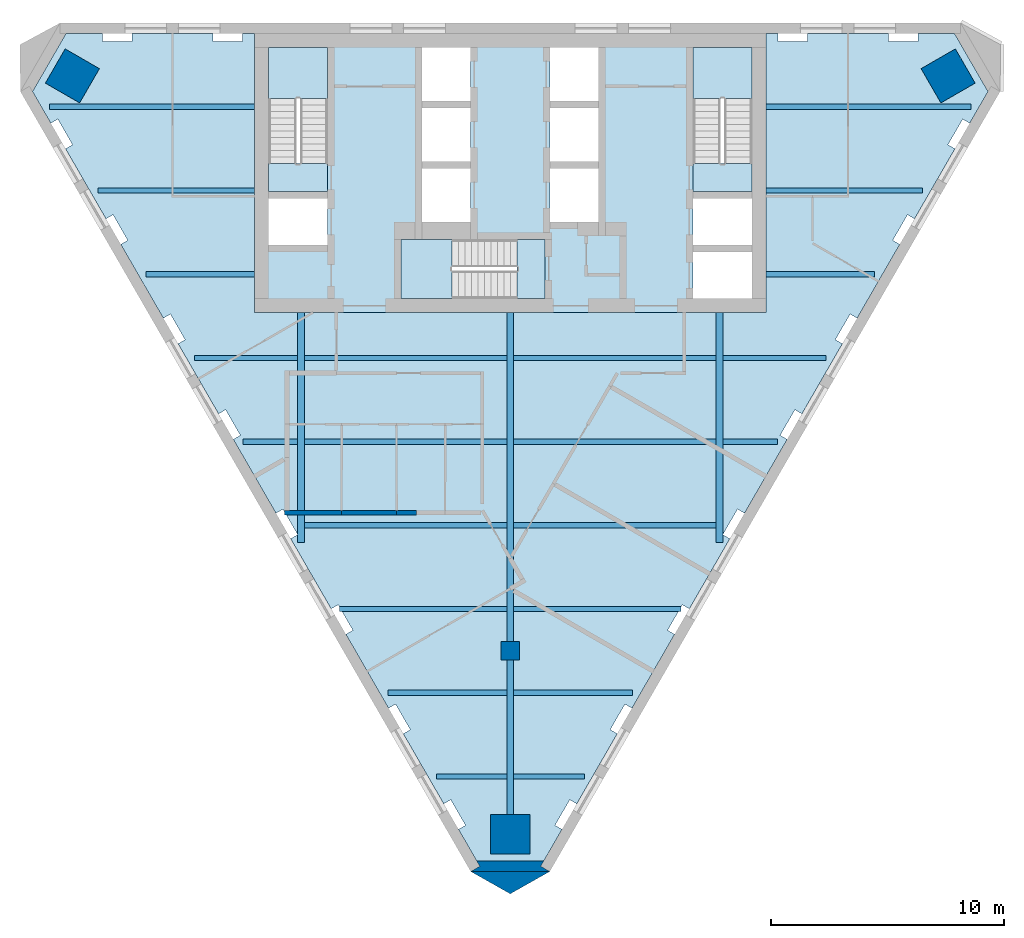
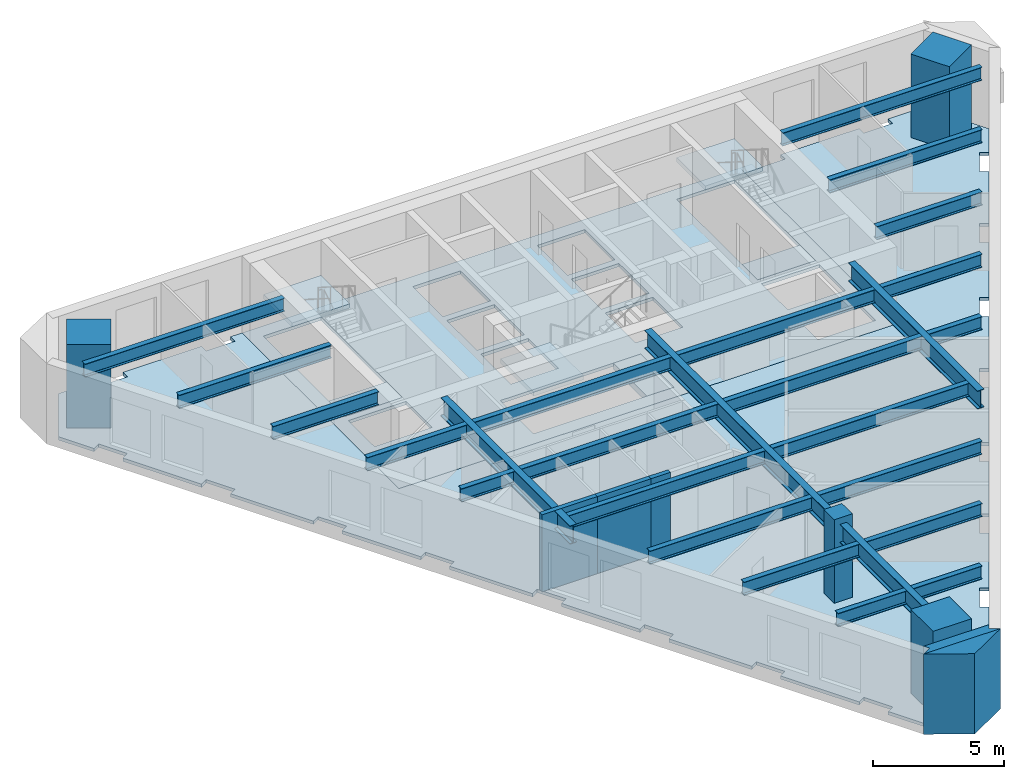
# One storey, part 1 of 6: 26 beams, 8 slabs, 5 walls, 4 columns, 3 elements without a shape of their own.
"""IFC4 building model written with IfcOpenShell, lengths in metres."""

from ifc_helpers import new_model, si_unit, direction, frame, frame_2d, origin, origin_2d, place, context, subcontext, project, spatial, polyline, rectangle, i_section, outline, extrude, material, layer, layer_set, material_profile, profile_set, type_object, element, aggregate, save


model = new_model("IFC4")

# Units and contexts
model_context = context("Model", 3, precision=1e-05, world=origin(), true_north=direction((0.0, 1.0)))
body_context = subcontext(model_context, "Body", "Model", "MODEL_VIEW")
ifc_project = project(units=[si_unit("LENGTHUNIT", "METRE"), si_unit("AREAUNIT", "SQUARE_METRE"), si_unit("VOLUMEUNIT", "CUBIC_METRE"), si_unit("PLANEANGLEUNIT", "RADIAN"), si_unit("MASSUNIT", "GRAM", prefix="KILO")], contexts=[model_context])

# Site, building, storey
site_placement = place(None, origin())
site = spatial("IfcSite", under=ifc_project, at=site_placement, CompositionType="ELEMENT")
building_placement = place(site_placement, origin())
building = spatial("IfcBuilding", under=site, at=building_placement, Name="Aloe Facet Convention Tower", CompositionType="ELEMENT")
storey_placement = place(building_placement, frame((0.0, 0.0, 223.10009765625)))
storey = spatial("IfcBuildingStorey", under=building, at=storey_placement, Name="L56", CompositionType="ELEMENT", Elevation=223.10009765625)

# Columns
ifc_material_1 = material(Name="Concrete C70/85", Category="concrete")
ifc_material_profile_1 = material_profile(ifc_material_1, rectangle(XDim=0.800048828125, YDim=0.800048828125, at=origin_2d()), Name="SF-GC-Z4")
ifc_profile_set_1 = profile_set([ifc_material_profile_1], Name="Concrete C70/85")
column_type_1 = type_object("IfcColumnType", Name="SF-GC-Z4", PredefinedType="COLUMN", material=ifc_profile_set_1)
column_placement = place(storey_placement, frame((80.0, 108.0, 0.0), z_axis=(0.0, 0.0, 1.0), x_axis=(1.0, 0.0, 0.0)))
element("IfcColumn", 1, at=column_placement, inside=storey, type_object=column_type_1, Name="Gravity column GC-Z4-9D", PredefinedType="COLUMN", context=body_context, shape_type="SweptSolid", body=[
    extrude(rectangle(XDim=0.800048828125, YDim=0.800048828125, at=origin_2d()), origin(), (0.0, 0.0, 1.0), 3.89990234375),
])
ifc_material_2 = material(Name="Concrete C80/95", Category="concrete")
ifc_material_profile_2 = material_profile(ifc_material_2, rectangle(XDim=1.699951171875, YDim=1.699951171875, at=origin_2d()), Name="STW-MC-Z4")
ifc_profile_set_2 = profile_set([ifc_material_profile_2], Name="Concrete C80/95")
column_type_2 = type_object("IfcColumnType", Name="STW-MC-Z4", PredefinedType="COLUMN", material=ifc_profile_set_2)
for number, where, z_axis, x_axis, name in (
    (2, (98.828857421875, 132.727783203125, 0.0), (0.0, 0.0, 1.0), (-0.5, 0.866025403784, 0.0), "Mega-column MC-NE-L56"),
    (3, (61.171142578125, 132.727783203125, 0.0), (0.0, 0.0, 1.0), (-0.5, -0.866025403784, 0.0), "Mega-column MC-NW-L56"),
    (4, (80.0, 100.114990234375, 0.0), (0.0, 0.0, 1.0), (1.0, 0.0, 0.0), "Mega-column MC-S-L56"),
):
    element("IfcColumn", number, at=place(storey_placement, frame(where, z_axis=z_axis, x_axis=x_axis)), inside=storey, type_object=column_type_2, Name=name, PredefinedType="COLUMN", context=body_context, shape_type="SweptSolid", body=[
        extrude(rectangle(XDim=1.699951171875, YDim=1.699951171875, at=origin_2d()), origin(), (0.0, 0.0, 1.0), 3.89990234375),
    ])

# Beams
ifc_material_3 = material(Name="Steel S355", Category="steel")
ifc_material_profile_3 = material_profile(ifc_material_3, i_section(OverallWidth=0.22900390625, OverallDepth=0.6123046875, WebThickness=0.011962890625, FlangeThickness=0.01953125, FilletRadius=0.0126953125, at=origin_2d()), Name="UB 610x229x125")
ifc_profile_set_3 = profile_set([ifc_material_profile_3], Name="Steel S355")
beam_type_1 = type_object("IfcBeamType", Name="SF-B-UB610x229x125", PredefinedType="BEAM", material=ifc_profile_set_3)
beam_1_placement = place(storey_placement, frame((60.18994140625, 131.39990234375, 3.293701171875), z_axis=(1.0, 0.0, 0.0), x_axis=(0.0, 1.0, 0.0)))
element("IfcBeam", 5, at=beam_1_placement, inside=storey, type_object=beam_type_1, Name="Floor beam FB-Z4I-005", PredefinedType="BEAM", context=body_context, shape_type="SweptSolid", body=[
    extrude(i_section(OverallWidth=0.22900390625, OverallDepth=0.6123046875, WebThickness=0.011962890625, FlangeThickness=0.01953125, FilletRadius=0.0126953125, at=origin_2d()), origin(), (0.0, 0.0, 1.0), 8.81005859375),
])
beam_2_placement = place(storey_placement, frame((62.268310546875, 127.800048828125, 3.293701171875), z_axis=(1.0, 0.0, 0.0), x_axis=(0.0, 1.0, 0.0)))
element("IfcBeam", 6, at=beam_2_placement, inside=storey, type_object=beam_type_1, Name="Floor beam FB-Z4I-006", PredefinedType="BEAM", context=body_context, shape_type="SweptSolid", body=[
    extrude(i_section(OverallWidth=0.22900390625, OverallDepth=0.6123046875, WebThickness=0.011962890625, FlangeThickness=0.01953125, FilletRadius=0.0126953125, at=origin_2d()), origin(), (0.0, 0.0, 1.0), 6.731689453125),
])
beam_3_placement = place(storey_placement, frame((64.3466796875, 124.199951171875, 3.293701171875), z_axis=(1.0, 0.0, 0.0), x_axis=(0.0, 1.0, 0.0)))
element("IfcBeam", 7, at=beam_3_placement, inside=storey, type_object=beam_type_1, Name="Floor beam FB-Z4I-007", PredefinedType="BEAM", context=body_context, shape_type="SweptSolid", body=[
    extrude(i_section(OverallWidth=0.22900390625, OverallDepth=0.6123046875, WebThickness=0.011962890625, FlangeThickness=0.01953125, FilletRadius=0.0126953125, at=origin_2d()), origin(), (0.0, 0.0, 1.0), 4.6533203125),
])
beam_4_placement = place(storey_placement, frame((66.42529296875, 120.60009765625, 3.293701171875), z_axis=(1.0, 0.0, 0.0), x_axis=(0.0, 1.0, 0.0)))
element("IfcBeam", 8, at=beam_4_placement, inside=storey, type_object=beam_type_1, Name="Floor beam FB-Z4I-008", PredefinedType="BEAM", context=body_context, shape_type="SweptSolid", body=[
    extrude(i_section(OverallWidth=0.22900390625, OverallDepth=0.6123046875, WebThickness=0.011962890625, FlangeThickness=0.01953125, FilletRadius=0.0126953125, at=origin_2d()), origin(), (0.0, 0.0, 1.0), 4.427734375),
])
beam_5_placement = place(storey_placement, frame((68.503662109375, 117.0, 3.293701171875), z_axis=(1.0, 0.0, 0.0), x_axis=(0.0, 1.0, 0.0)))
element("IfcBeam", 9, at=beam_5_placement, inside=storey, type_object=beam_type_1, Name="Floor beam FB-Z4I-009", PredefinedType="BEAM", context=body_context, shape_type="SweptSolid", body=[
    extrude(i_section(OverallWidth=0.22900390625, OverallDepth=0.6123046875, WebThickness=0.011962890625, FlangeThickness=0.01953125, FilletRadius=0.0126953125, at=origin_2d()), origin(), (0.0, 0.0, 1.0), 2.349365234375),
])
for number, where, z_axis, x_axis, name in (
    (10, (71.14697265625, 113.39990234375, 3.293701171875), (1.0, 0.0, 0.0), (0.0, 1.0, 0.0), "Floor beam FB-Z4I-010"),
    (11, (71.14697265625, 117.0, 3.293701171875), (1.0, 0.0, 0.0), (0.0, 1.0, 0.0), "Floor beam FB-Z4I-011"),
    (12, (71.14697265625, 120.60009765625, 3.293701171875), (1.0, 0.0, 0.0), (0.0, 1.0, 0.0), "Floor beam FB-Z4I-012"),
):
    element("IfcBeam", number, at=place(storey_placement, frame(where, z_axis=z_axis, x_axis=x_axis)), inside=storey, type_object=beam_type_1, Name=name, PredefinedType="BEAM", context=body_context, shape_type="SweptSolid", body=[
        extrude(i_section(OverallWidth=0.22900390625, OverallDepth=0.6123046875, WebThickness=0.011962890625, FlangeThickness=0.01953125, FilletRadius=0.0126953125, at=origin_2d()), origin(), (0.0, 0.0, 1.0), 8.7060546875),
    ])
beam_6_placement = place(storey_placement, frame((72.66064453125, 109.800048828125, 3.293701171875), z_axis=(1.0, 0.0, 0.0), x_axis=(0.0, 1.0, 0.0)))
element("IfcBeam", 13, at=beam_6_placement, inside=storey, type_object=beam_type_1, Name="Floor beam FB-Z4I-013", PredefinedType="BEAM", context=body_context, shape_type="SweptSolid", body=[
    extrude(i_section(OverallWidth=0.22900390625, OverallDepth=0.6123046875, WebThickness=0.011962890625, FlangeThickness=0.01953125, FilletRadius=0.0126953125, at=origin_2d()), origin(), (0.0, 0.0, 1.0), 7.1923828125),
])
beam_7_placement = place(storey_placement, frame((74.739013671875, 106.199951171875, 3.293701171875), z_axis=(1.0, 0.0, 0.0), x_axis=(0.0, 1.0, 0.0)))
element("IfcBeam", 14, at=beam_7_placement, inside=storey, type_object=beam_type_1, Name="Floor beam FB-Z4I-014", PredefinedType="BEAM", context=body_context, shape_type="SweptSolid", body=[
    extrude(i_section(OverallWidth=0.22900390625, OverallDepth=0.6123046875, WebThickness=0.011962890625, FlangeThickness=0.01953125, FilletRadius=0.0126953125, at=origin_2d()), origin(), (0.0, 0.0, 1.0), 5.114013671875),
])
for number, where, z_axis, x_axis, name in (
    (15, (76.817626953125, 102.60009765625, 3.293701171875), (1.0, 0.0, 0.0), (0.0, 1.0, 0.0), "Floor beam FB-Z4I-015"),
    (16, (80.14697265625, 102.60009765625, 3.293701171875), (1.0, 0.0, 0.0), (0.0, 1.0, 0.0), "Floor beam FB-Z4I-016"),
):
    element("IfcBeam", number, at=place(storey_placement, frame(where, z_axis=z_axis, x_axis=x_axis)), inside=storey, type_object=beam_type_1, Name=name, PredefinedType="BEAM", context=body_context, shape_type="SweptSolid", body=[
        extrude(i_section(OverallWidth=0.22900390625, OverallDepth=0.6123046875, WebThickness=0.011962890625, FlangeThickness=0.01953125, FilletRadius=0.0126953125, at=origin_2d()), origin(), (0.0, 0.0, 1.0), 3.035400390625),
    ])
beam_8_placement = place(storey_placement, frame((80.14697265625, 106.199951171875, 3.293701171875), z_axis=(1.0, 0.0, 0.0), x_axis=(0.0, 1.0, 0.0)))
element("IfcBeam", 17, at=beam_8_placement, inside=storey, type_object=beam_type_1, Name="Floor beam FB-Z4I-017", PredefinedType="BEAM", context=body_context, shape_type="SweptSolid", body=[
    extrude(i_section(OverallWidth=0.22900390625, OverallDepth=0.6123046875, WebThickness=0.011962890625, FlangeThickness=0.01953125, FilletRadius=0.0126953125, at=origin_2d()), origin(), (0.0, 0.0, 1.0), 5.114013671875),
])
beam_9_placement = place(storey_placement, frame((80.14697265625, 109.800048828125, 3.293701171875), z_axis=(1.0, 0.0, 0.0), x_axis=(0.0, 1.0, 0.0)))
element("IfcBeam", 18, at=beam_9_placement, inside=storey, type_object=beam_type_1, Name="Floor beam FB-Z4I-018", PredefinedType="BEAM", context=body_context, shape_type="SweptSolid", body=[
    extrude(i_section(OverallWidth=0.22900390625, OverallDepth=0.6123046875, WebThickness=0.011962890625, FlangeThickness=0.01953125, FilletRadius=0.0126953125, at=origin_2d()), origin(), (0.0, 0.0, 1.0), 7.1923828125),
])
for number, where, z_axis, x_axis, name in (
    (19, (80.14697265625, 113.39990234375, 3.293701171875), (1.0, 0.0, 0.0), (0.0, 1.0, 0.0), "Floor beam FB-Z4I-019"),
    (20, (80.14697265625, 117.0, 3.293701171875), (1.0, 0.0, 0.0), (0.0, 1.0, 0.0), "Floor beam FB-Z4I-020"),
    (21, (80.14697265625, 120.60009765625, 3.293701171875), (1.0, 0.0, 0.0), (0.0, 1.0, 0.0), "Floor beam FB-Z4I-021"),
):
    element("IfcBeam", number, at=place(storey_placement, frame(where, z_axis=z_axis, x_axis=x_axis)), inside=storey, type_object=beam_type_1, Name=name, PredefinedType="BEAM", context=body_context, shape_type="SweptSolid", body=[
        extrude(i_section(OverallWidth=0.22900390625, OverallDepth=0.6123046875, WebThickness=0.011962890625, FlangeThickness=0.01953125, FilletRadius=0.0126953125, at=origin_2d()), origin(), (0.0, 0.0, 1.0), 8.7060546875),
    ])
beam_10_placement = place(storey_placement, frame((89.14697265625, 117.0, 3.293701171875), z_axis=(1.0, 0.0, 0.0), x_axis=(0.0, 1.0, 0.0)))
element("IfcBeam", 22, at=beam_10_placement, inside=storey, type_object=beam_type_1, Name="Floor beam FB-Z4I-022", PredefinedType="BEAM", context=body_context, shape_type="SweptSolid", body=[
    extrude(i_section(OverallWidth=0.22900390625, OverallDepth=0.6123046875, WebThickness=0.011962890625, FlangeThickness=0.01953125, FilletRadius=0.0126953125, at=origin_2d()), origin(), (0.0, 0.0, 1.0), 2.349365234375),
])
beam_11_placement = place(storey_placement, frame((89.14697265625, 120.60009765625, 3.293701171875), z_axis=(1.0, 0.0, 0.0), x_axis=(0.0, 1.0, 0.0)))
element("IfcBeam", 23, at=beam_11_placement, inside=storey, type_object=beam_type_1, Name="Floor beam FB-Z4I-023", PredefinedType="BEAM", context=body_context, shape_type="SweptSolid", body=[
    extrude(i_section(OverallWidth=0.22900390625, OverallDepth=0.6123046875, WebThickness=0.011962890625, FlangeThickness=0.01953125, FilletRadius=0.0126953125, at=origin_2d()), origin(), (0.0, 0.0, 1.0), 4.427734375),
])
beam_12_placement = place(storey_placement, frame((91.0, 124.199951171875, 3.293701171875), z_axis=(1.0, 0.0, 0.0), x_axis=(0.0, 1.0, 0.0)))
element("IfcBeam", 24, at=beam_12_placement, inside=storey, type_object=beam_type_1, Name="Floor beam FB-Z4I-024", PredefinedType="BEAM", context=body_context, shape_type="SweptSolid", body=[
    extrude(i_section(OverallWidth=0.22900390625, OverallDepth=0.6123046875, WebThickness=0.011962890625, FlangeThickness=0.01953125, FilletRadius=0.0126953125, at=origin_2d()), origin(), (0.0, 0.0, 1.0), 4.6533203125),
])
beam_13_placement = place(storey_placement, frame((91.0, 127.800048828125, 3.293701171875), z_axis=(1.0, 0.0, 0.0), x_axis=(0.0, 1.0, 0.0)))
element("IfcBeam", 25, at=beam_13_placement, inside=storey, type_object=beam_type_1, Name="Floor beam FB-Z4I-025", PredefinedType="BEAM", context=body_context, shape_type="SweptSolid", body=[
    extrude(i_section(OverallWidth=0.22900390625, OverallDepth=0.6123046875, WebThickness=0.011962890625, FlangeThickness=0.01953125, FilletRadius=0.0126953125, at=origin_2d()), origin(), (0.0, 0.0, 1.0), 6.731689453125),
])
beam_14_placement = place(storey_placement, frame((91.0, 131.39990234375, 3.293701171875), z_axis=(1.0, 0.0, 0.0), x_axis=(0.0, 1.0, 0.0)))
element("IfcBeam", 26, at=beam_14_placement, inside=storey, type_object=beam_type_1, Name="Floor beam FB-Z4I-026", PredefinedType="BEAM", context=body_context, shape_type="SweptSolid", body=[
    extrude(i_section(OverallWidth=0.22900390625, OverallDepth=0.6123046875, WebThickness=0.011962890625, FlangeThickness=0.01953125, FilletRadius=0.0126953125, at=origin_2d()), origin(), (0.0, 0.0, 1.0), 8.81005859375),
])
ifc_material_4 = material(Name="Steel S355", Category="steel")
ifc_material_profile_4 = material_profile(ifc_material_4, i_section(OverallWidth=0.293701171875, OverallDepth=0.850830078125, WebThickness=0.01611328125, FlangeThickness=0.02685546875, FilletRadius=0.017822265625, at=origin_2d()), Name="UB 838x292x226")
ifc_profile_set_4 = profile_set([ifc_material_profile_4], Name="Steel S355")
beam_type_2 = type_object("IfcBeamType", Name="SF-B-UB838x292x226", PredefinedType="BEAM", material=ifc_profile_set_4)
beam_15_placement = place(storey_placement, frame((71.0, 122.550048828125, 3.17431640625), z_axis=(0.0, -1.0, 0.0), x_axis=(1.0, 0.0, 0.0)))
element("IfcBeam", 27, at=beam_15_placement, inside=storey, type_object=beam_type_2, Name="Floor beam FB-Z4I-001", PredefinedType="BEAM", context=body_context, shape_type="SweptSolid", body=[
    extrude(i_section(OverallWidth=0.293701171875, OverallDepth=0.850830078125, WebThickness=0.01611328125, FlangeThickness=0.02685546875, FilletRadius=0.017822265625, at=origin_2d()), origin(), (0.0, 0.0, 1.0), 9.881103515625),
])
beam_16_placement = place(storey_placement, frame((80.0, 107.60009765625, 3.17431640625), z_axis=(0.0, -1.0, 0.0), x_axis=(1.0, 0.0, 0.0)))
element("IfcBeam", 28, at=beam_16_placement, inside=storey, type_object=beam_type_2, Name="Floor beam FB-Z4I-002", PredefinedType="BEAM", context=body_context, shape_type="SweptSolid", body=[
    extrude(i_section(OverallWidth=0.293701171875, OverallDepth=0.850830078125, WebThickness=0.01611328125, FlangeThickness=0.02685546875, FilletRadius=0.017822265625, at=origin_2d()), origin(), (0.0, 0.0, 1.0), 8.3251953125),
])
beam_17_placement = place(storey_placement, frame((80.0, 122.550048828125, 3.17431640625), z_axis=(0.0, -1.0, 0.0), x_axis=(1.0, 0.0, 0.0)))
element("IfcBeam", 29, at=beam_17_placement, inside=storey, type_object=beam_type_2, Name="Floor beam FB-Z4I-003", PredefinedType="BEAM", context=body_context, shape_type="SweptSolid", body=[
    extrude(i_section(OverallWidth=0.293701171875, OverallDepth=0.850830078125, WebThickness=0.01611328125, FlangeThickness=0.02685546875, FilletRadius=0.017822265625, at=origin_2d()), origin(), (0.0, 0.0, 1.0), 14.150146484375),
])
beam_18_placement = place(storey_placement, frame((89.0, 122.550048828125, 3.17431640625), z_axis=(0.0, -1.0, 0.0), x_axis=(1.0, 0.0, 0.0)))
element("IfcBeam", 30, at=beam_18_placement, inside=storey, type_object=beam_type_2, Name="Floor beam FB-Z4I-004", PredefinedType="BEAM", context=body_context, shape_type="SweptSolid", body=[
    extrude(i_section(OverallWidth=0.293701171875, OverallDepth=0.850830078125, WebThickness=0.01611328125, FlangeThickness=0.02685546875, FilletRadius=0.017822265625, at=origin_2d()), origin(), (0.0, 0.0, 1.0), 9.881103515625),
])

# Slabs
ifc_material_5 = material(Name="Concrete C50/60", Category="concrete")
ifc_layer_1 = layer(ifc_material_5, 0.14990234375)
ifc_layer_set_1 = layer_set([ifc_layer_1], Name="CR-S-FLOOR150-C5060")
slab_type_1 = type_object("IfcSlabType", Name="CR-S-FLOOR150-C5060", PredefinedType="FLOOR", material=ifc_layer_set_1)
slab_1_placement = place(storey_placement, frame((0.0, 0.0, -0.150146484375)))
element("IfcSlab", 31, at=slab_1_placement, inside=storey, type_object=slab_type_1, Name="Core floor L56", PredefinedType="FLOOR", context=body_context, shape_type="SweptSolid", body=[
    extrude(outline(polyline([(71.85009765625, 134.550048828125), (72.75, 134.550048828125), (75.60009765625, 134.550048828125), (76.5, 134.550048828125), (78.0, 134.550048828125), (78.89990234375, 134.550048828125), (81.10009765625, 134.550048828125), (82.0, 134.550048828125), (83.5, 134.550048828125), (84.39990234375, 134.550048828125), (87.25, 134.550048828125), (88.14990234375, 134.550048828125), (91.0, 134.550048828125), (91.0, 128.050048828125), (91.0, 127.14990234375), (91.0, 125.75), (91.0, 124.85009765625), (91.0, 122.550048828125), (88.14990234375, 122.550048828125), (87.25, 122.550048828125), (85.300048828125, 122.550048828125), (84.39990234375, 122.550048828125), (82.10009765625, 122.550048828125), (81.199951171875, 122.550048828125), (75.60009765625, 122.550048828125), (74.699951171875, 122.550048828125), (72.75, 122.550048828125), (71.85009765625, 122.550048828125), (69.0, 122.550048828125), (69.0, 124.85009765625), (69.0, 125.75), (69.0, 127.14990234375), (69.0, 128.050048828125), (69.0, 134.550048828125), (71.85009765625, 134.550048828125)]), holes=[polyline([(80.298828125, 123.14990234375), (81.5, 123.14990234375), (81.5, 125.699951171875), (80.298828125, 125.699951171875), (75.300048828125, 125.699951171875), (75.300048828125, 123.14990234375), (80.298828125, 123.14990234375)]), polyline([(69.60009765625, 125.449951171875), (72.14990234375, 125.449951171875), (72.14990234375, 127.449951171875), (69.60009765625, 127.449951171875), (69.60009765625, 125.449951171875)]), polyline([(76.199951171875, 126.449951171875), (78.300048828125, 126.449951171875), (78.300048828125, 128.75), (76.199951171875, 128.75), (76.199951171875, 126.449951171875)]), polyline([(78.300048828125, 129.050048828125), (78.300048828125, 131.35009765625), (76.199951171875, 131.35009765625), (76.199951171875, 129.050048828125), (78.300048828125, 129.050048828125)]), polyline([(69.60009765625, 133.949951171875), (69.60009765625, 128.951171875), (69.60009765625, 127.75), (72.14990234375, 127.75), (72.14990234375, 128.951171875), (72.14990234375, 133.949951171875), (69.60009765625, 133.949951171875)]), polyline([(76.199951171875, 131.64990234375), (78.300048828125, 131.64990234375), (78.300048828125, 133.949951171875), (76.199951171875, 133.949951171875), (76.199951171875, 131.64990234375)]), polyline([(90.39990234375, 123.14990234375), (90.39990234375, 125.14990234375), (87.85009765625, 125.14990234375), (87.85009765625, 123.14990234375), (90.39990234375, 123.14990234375)]), polyline([(87.85009765625, 125.449951171875), (90.39990234375, 125.449951171875), (90.39990234375, 127.449951171875), (87.85009765625, 127.449951171875), (87.85009765625, 125.449951171875)]), polyline([(81.699951171875, 126.449951171875), (83.800048828125, 126.449951171875), (83.800048828125, 128.75), (81.699951171875, 128.75), (81.699951171875, 126.449951171875)]), polyline([(83.800048828125, 129.050048828125), (83.800048828125, 131.35009765625), (81.699951171875, 131.35009765625), (81.699951171875, 129.050048828125), (83.800048828125, 129.050048828125)]), polyline([(87.85009765625, 133.949951171875), (87.85009765625, 128.951171875), (87.85009765625, 127.75), (90.39990234375, 127.75), (90.39990234375, 128.951171875), (90.39990234375, 133.949951171875), (87.85009765625, 133.949951171875)]), polyline([(81.699951171875, 131.64990234375), (83.800048828125, 131.64990234375), (83.800048828125, 133.949951171875), (81.699951171875, 133.949951171875), (81.699951171875, 131.64990234375)])]), origin(), (0.0, 0.0, 1.0), 0.150146484375),
])
ifc_material_6 = material(Name="Concrete C50/60", Category="concrete")
ifc_layer_2 = layer(ifc_material_6, 0.300048828125)
ifc_layer_set_2 = layer_set([ifc_layer_2], Name="CR-S-FLOOR300-C5060")
slab_type_2 = type_object("IfcSlabType", Name="CR-S-FLOOR300-C5060", PredefinedType="FLOOR", material=ifc_layer_set_2)
slab_2_placement = place(storey_placement, frame((0.0, 0.0, -0.300048828125)))
element("IfcSlab", 32, at=slab_2_placement, inside=storey, type_object=slab_type_2, Name="Stair landing floor L56", PredefinedType="FLOOR", context=body_context, shape_type="SweptSolid", body=[
    extrude(outline(polyline([(72.14990234375, 127.75), (72.14990234375, 128.951171875), (69.60009765625, 128.951171875), (69.60009765625, 127.75), (72.14990234375, 127.75)])), origin(), (0.0, 0.0, 1.0), 0.300048828125),
])
slab_3_placement = place(storey_placement, frame((0.0, 0.0, -0.300048828125)))
element("IfcSlab", 33, at=slab_3_placement, inside=storey, type_object=slab_type_2, Name="Stair landing floor L56", PredefinedType="FLOOR", context=body_context, shape_type="SweptSolid", body=[
    extrude(outline(polyline([(90.39990234375, 127.75), (90.39990234375, 128.951171875), (87.85009765625, 128.951171875), (87.85009765625, 127.75), (90.39990234375, 127.75)])), origin(), (0.0, 0.0, 1.0), 0.300048828125),
])
slab_4_placement = place(storey_placement, frame((0.0, 0.0, -0.300048828125)))
element("IfcSlab", 34, at=slab_4_placement, inside=storey, type_object=slab_type_2, Name="Stair landing floor L56", PredefinedType="FLOOR", context=body_context, shape_type="SweptSolid", body=[
    extrude(outline(polyline([(81.5, 125.699951171875), (80.298828125, 125.699951171875), (80.298828125, 123.14990234375), (81.5, 123.14990234375), (81.5, 125.699951171875)])), origin(), (0.0, 0.0, 1.0), 0.300048828125),
])

# Stair, slab
ifc_material_7 = material(Name="Concrete C50/60", Category="concrete")
stair_type = type_object("IfcStairType", Name="CR-ST-22R", PredefinedType="HALF_TURN_STAIR", material=ifc_material_7)
stair_1_placement = place(storey_placement, origin())
stair_1 = element("IfcStair", 35, at=stair_1_placement, inside=storey, type_object=stair_type, Name="L56 Protected exit stair ST1", PredefinedType="HALF_TURN_STAIR")
ifc_material_8 = material(Name="Concrete C50/60", Category="concrete")
ifc_layer_3 = layer(ifc_material_8, 0.199951171875)
ifc_layer_set_3 = layer_set([ifc_layer_3], Name="CR-SL-LANDING")
slab_type_3 = type_object("IfcSlabType", Name="CR-SL-LANDING", PredefinedType="LANDING", material=ifc_layer_set_3)
slab_5_placement = place(storey_placement, frame((0.0, 0.0, 1.75)))
slab_5 = element("IfcSlab", 36, at=slab_5_placement, type_object=slab_type_3, Name="ST1 landing 1", PredefinedType="LANDING", context=body_context, shape_type="SweptSolid", body=[
    extrude(outline(polyline([(72.14990234375, 131.75), (72.14990234375, 133.949951171875), (69.60009765625, 133.949951171875), (69.60009765625, 131.75), (72.14990234375, 131.75)])), origin(), (0.0, 0.0, 1.0), 0.199951171875),
])
aggregate(stair_1, [slab_5])

stair_2_placement = place(storey_placement, origin())
stair_2 = element("IfcStair", 37, at=stair_2_placement, inside=storey, type_object=stair_type, Name="L56 Protected exit stair ST2", PredefinedType="HALF_TURN_STAIR")
slab_6_placement = place(storey_placement, frame((0.0, 0.0, 1.75)))
slab_6 = element("IfcSlab", 38, at=slab_6_placement, type_object=slab_type_3, Name="ST2 landing 1", PredefinedType="LANDING", context=body_context, shape_type="SweptSolid", body=[
    extrude(outline(polyline([(90.39990234375, 131.75), (90.39990234375, 133.949951171875), (87.85009765625, 133.949951171875), (87.85009765625, 131.75), (90.39990234375, 131.75)])), origin(), (0.0, 0.0, 1.0), 0.199951171875),
])
aggregate(stair_2, [slab_6])

stair_3_placement = place(storey_placement, origin())
stair_3 = element("IfcStair", 39, at=stair_3_placement, inside=storey, type_object=stair_type, Name="L56 Protected exit stair ST3", PredefinedType="HALF_TURN_STAIR")
slab_7_placement = place(storey_placement, frame((0.0, 0.0, 1.75)))
slab_7 = element("IfcSlab", 40, at=slab_7_placement, type_object=slab_type_3, Name="ST3 landing 1", PredefinedType="LANDING", context=body_context, shape_type="SweptSolid", body=[
    extrude(outline(polyline([(77.5, 125.699951171875), (75.300048828125, 125.699951171875), (75.300048828125, 123.14990234375), (77.5, 123.14990234375), (77.5, 125.699951171875)])), origin(), (0.0, 0.0, 1.0), 0.199951171875),
])
aggregate(stair_3, [slab_7])

# Slab
ifc_material_9 = material(Name="Concrete C35/45", Category="concrete")
ifc_layer_4 = layer(ifc_material_9, 0.14990234375)
ifc_layer_set_4 = layer_set([ifc_layer_4], Name="SF-FS-150")
slab_type_4 = type_object("IfcSlabType", Name="SF-FS-150", PredefinedType="FLOOR", material=ifc_layer_set_4)
slab_8_placement = place(storey_placement, frame((0.0, 0.0, -0.150146484375)))
element("IfcSlab", 41, at=slab_8_placement, inside=storey, type_object=slab_type_4, Name="Floor slab L56-1", PredefinedType="FLOOR", context=body_context, shape_type="SweptSolid", body=[
    extrude(outline(polyline([(100.544921875, 132.055419921875), (99.7587890625, 130.69384765625), (99.455810546875, 130.868896484375), (98.82080078125, 129.76904296875), (99.123779296875, 129.593994140625), (97.384765625, 126.581787109375), (97.081787109375, 126.7568359375), (96.44677734375, 125.656982421875), (96.749755859375, 125.48193359375), (94.917724609375, 122.30859375), (94.614501953125, 122.483642578125), (93.9794921875, 121.3837890625), (94.28271484375, 121.208740234375), (92.543701171875, 118.19677734375), (92.240478515625, 118.371826171875), (91.60546875, 117.27197265625), (91.90869140625, 117.096923828125), (90.076416015625, 113.923583984375), (89.7734375, 114.0986328125), (89.138427734375, 112.998779296875), (89.44140625, 112.82373046875), (87.702392578125, 109.811767578125), (87.3994140625, 109.98681640625), (86.764404296875, 108.88671875), (87.0673828125, 108.7119140625), (85.2353515625, 105.53857421875), (84.932373046875, 105.71337890625), (84.29736328125, 104.613525390625), (84.600341796875, 104.438720703125), (82.861328125, 101.426513671875), (82.558349609375, 101.6015625), (81.923095703125, 100.501708984375), (82.226318359375, 100.32666015625), (81.440185546875, 98.965087890625), (78.559814453125, 98.965087890625), (77.773681640625, 100.32666015625), (78.076904296875, 100.501708984375), (77.441650390625, 101.6015625), (77.138671875, 101.426513671875), (75.399658203125, 104.438720703125), (75.70263671875, 104.613525390625), (75.067626953125, 105.71337890625), (74.7646484375, 105.53857421875), (72.9326171875, 108.7119140625), (73.235595703125, 108.88671875), (72.6005859375, 109.98681640625), (72.297607421875, 109.811767578125), (70.55859375, 112.82373046875), (70.861572265625, 112.998779296875), (70.2265625, 114.0986328125), (69.923583984375, 113.923583984375), (68.09130859375, 117.096923828125), (68.39453125, 117.27197265625), (67.759521484375, 118.371826171875), (67.456298828125, 118.19677734375), (65.71728515625, 121.208740234375), (66.0205078125, 121.3837890625), (65.385498046875, 122.483642578125), (65.082275390625, 122.30859375), (63.250244140625, 125.48193359375), (63.55322265625, 125.656982421875), (62.918212890625, 126.7568359375), (62.615234375, 126.581787109375), (60.876220703125, 129.593994140625), (61.17919921875, 129.76904296875), (60.544189453125, 130.868896484375), (60.2412109375, 130.69384765625), (59.455078125, 132.055419921875), (60.895263671875, 134.550048828125), (62.467529296875, 134.550048828125), (62.467529296875, 134.199951171875), (63.737548828125, 134.199951171875), (63.737548828125, 134.550048828125), (67.215576171875, 134.550048828125), (67.215576171875, 134.199951171875), (68.485595703125, 134.199951171875), (68.485595703125, 134.550048828125), (69.0, 134.550048828125), (69.0, 128.050048828125), (69.0, 127.14990234375), (69.0, 125.75), (69.0, 124.85009765625), (69.0, 122.550048828125), (71.85009765625, 122.550048828125), (72.75, 122.550048828125), (74.699951171875, 122.550048828125), (75.60009765625, 122.550048828125), (81.199951171875, 122.550048828125), (82.10009765625, 122.550048828125), (84.39990234375, 122.550048828125), (85.300048828125, 122.550048828125), (87.25, 122.550048828125), (88.14990234375, 122.550048828125), (91.0, 122.550048828125), (91.0, 124.85009765625), (91.0, 125.75), (91.0, 127.14990234375), (91.0, 128.050048828125), (91.0, 134.550048828125), (91.514404296875, 134.550048828125), (91.514404296875, 134.199951171875), (92.784423828125, 134.199951171875), (92.784423828125, 134.550048828125), (96.262451171875, 134.550048828125), (96.262451171875, 134.199951171875), (97.532470703125, 134.199951171875), (97.532470703125, 134.550048828125), (99.104736328125, 134.550048828125), (100.544921875, 132.055419921875)]), holes=[polyline([(80.85009765625, 99.264892578125), (80.85009765625, 100.965087890625), (79.14990234375, 100.965087890625), (79.14990234375, 99.264892578125), (80.85009765625, 99.264892578125)]), polyline([(60.85986328125, 133.888916015625), (60.010009765625, 132.41650390625), (61.482177734375, 131.566650390625), (62.33203125, 133.038818359375), (60.85986328125, 133.888916015625)]), polyline([(80.39990234375, 107.60009765625), (80.39990234375, 108.39990234375), (79.60009765625, 108.39990234375), (79.60009765625, 107.60009765625), (80.39990234375, 107.60009765625)]), polyline([(99.989990234375, 132.41650390625), (99.14013671875, 133.888916015625), (97.66796875, 133.038818359375), (98.517822265625, 131.566650390625), (99.989990234375, 132.41650390625)])]), origin(), (0.0, 0.0, 1.0), 0.150146484375),
])

# Walls
ifc_material_10 = material(Name="Precast concrete C40/50", Category="concrete")
ifc_layer_5 = layer(ifc_material_10, 0.449951171875)
ifc_layer_set_5 = layer_set([ifc_layer_5], Name="EV-WALL-PIER")
wall_type_1 = type_object("IfcWallType", Name="EV-WALL-PIER", PredefinedType="SOLIDWALL", material=ifc_layer_set_5)
wall_1_placement = place(storey_placement, frame((0.0, 0.0, -0.150146484375)))
element("IfcWall", 42, at=wall_1_placement, inside=storey, type_object=wall_type_1, Name="EP-L56-B", PredefinedType="SOLIDWALL", context=body_context, shape_type="SweptSolid", body=[
    extrude(outline(polyline([(78.300048828125, 98.514892578125), (78.689697265625, 98.739990234375), (78.559814453125, 98.965087890625), (81.440185546875, 98.965087890625), (81.310302734375, 98.739990234375), (81.699951171875, 98.514892578125), (78.300048828125, 98.514892578125)])), origin(), (0.0, 0.0, 1.0), 3.75),
])
ifc_material_11 = material(Name="Precast concrete C40/50", Category="concrete")
ifc_layer_6 = layer(ifc_material_11, 3.947998046875)
ifc_layer_set_6 = layer_set([ifc_layer_6], Name="EV-WALL-SPINE")
wall_type_2 = type_object("IfcWallType", Name="EV-WALL-SPINE", PredefinedType="SOLIDWALL", material=ifc_layer_set_6)
wall_2_placement = place(storey_placement, frame((0.0, 0.0, -0.150146484375)))
element("IfcWall", 43, at=wall_2_placement, inside=storey, type_object=wall_type_2, Name="SP-S-L56", PredefinedType="SOLIDWALL", context=body_context, shape_type="SweptSolid", body=[
    extrude(outline(polyline([(78.300048828125, 98.514892578125), (80.0, 97.55517578125), (81.699951171875, 98.514892578125), (78.300048828125, 98.514892578125)])), origin(), (0.0, 0.0, 1.0), 3.75),
])
ifc_material_12 = material(Name="Gypsum board partition on steel studs", Category="steel")
ifc_layer_7 = layer(ifc_material_12, 0.199951171875)
ifc_layer_set_7 = layer_set([ifc_layer_7], Name="IN-W-PARTY")
wall_type_3 = type_object("IfcWallType", Name="IN-W-PARTY", PredefinedType="PARTITIONING", material=ifc_layer_set_7)
wall_3_placement = place(storey_placement, frame((70.300048828125, 113.947021484375, 0.0), z_axis=(0.0, 0.0, 1.0), x_axis=(1.0, 0.0, 0.0)))
element("IfcWall", 44, at=wall_3_placement, inside=storey, type_object=wall_type_3, Name="Partition L56-W007", PredefinedType="PARTITIONING", context=body_context, shape_type="SweptSolid", body=[
    extrude(rectangle(XDim=2.44189453125, YDim=0.199951171875, at=frame_2d((1.220947265625, 0.0))), origin(), (0.0, 0.0, 1.0), 3.599853515625),
])
wall_4_placement = place(storey_placement, frame((72.741943359375, 113.947021484375, 0.0), z_axis=(0.0, 0.0, 1.0), x_axis=(1.0, 0.0, 0.0)))
element("IfcWall", 45, at=wall_4_placement, inside=storey, type_object=wall_type_3, Name="Partition L56-W008", PredefinedType="PARTITIONING", context=body_context, shape_type="SweptSolid", body=[
    extrude(rectangle(XDim=2.3720703125, YDim=0.199951171875, at=frame_2d((1.18603515625, 0.0))), origin(), (0.0, 0.0, 1.0), 3.599853515625),
])
wall_5_placement = place(storey_placement, frame((75.114013671875, 113.947021484375, 0.0), z_axis=(0.0, 0.0, 1.0), x_axis=(1.0, 0.0, 0.0)))
element("IfcWall", 46, at=wall_5_placement, inside=storey, type_object=wall_type_3, Name="Partition L56-W009", PredefinedType="PARTITIONING", context=body_context, shape_type="SweptSolid", body=[
    extrude(rectangle(XDim=0.862060546875, YDim=0.199951171875, at=frame_2d((0.43115234375, 0.0))), origin(), (0.0, 0.0, 1.0), 3.599853515625),
])

save(model, "model.ifc")
